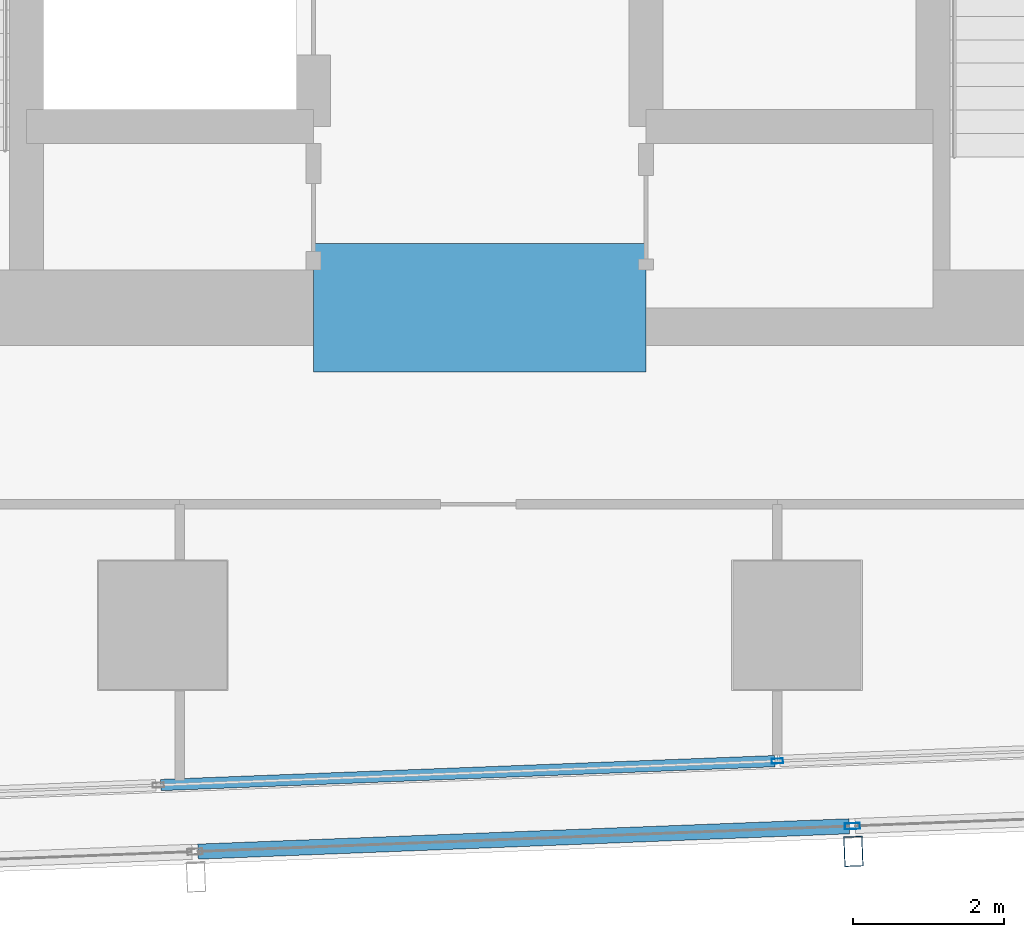
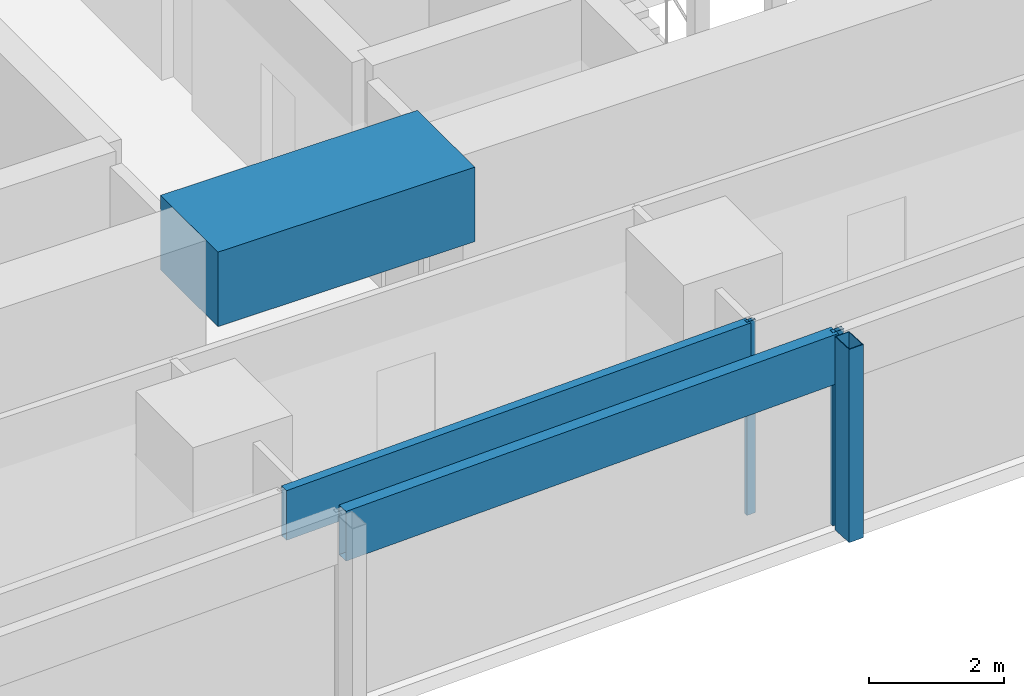
# One storey, part 9 of 40: 5 members, 1 beam, 2 elements without a shape of their own.
"""IFC4 building model written with IfcOpenShell, lengths in metres."""

import ifcopenshell
import ifcopenshell.guid

model = None  # the IFC model being written
_history = None  # IfcOwnerHistory: only IFC2X3 demands one
_inside = {}  # id of a spatial element -> (the spatial element, [elements in it])
_under = {}  # id of a project, library or spatial element -> (it, [spatial elements below it])
_declared = {}  # id of a project -> (the project, [libraries it declares])
_typed = {}  # id of a type object -> (the type object, [elements of that type])
_made_of = {}  # id of a material, layer set ... -> (it, [elements and type objects made of it])


def new_model(schema):
    """Start an empty IFC model of exactly this schema.

    Asked for "IFC4X3", IfcOpenShell would pick the latest addendum, in which some entities
    have other attributes; the version numbers below select the first issue.
    IFC2X3 requires an IfcOwnerHistory on every rooted entity: one is made here for all.
    """
    global model, _history
    if schema == "IFC4X3":
        model = ifcopenshell.file(schema_version=(4, 3, 0, 0))
    else:
        model = ifcopenshell.file(schema=schema)
    _inside.clear()
    _under.clear()
    _declared.clear()
    _typed.clear()
    _made_of.clear()
    _history = None
    if model.schema == "IFC2X3":
        org = make("IfcOrganization", Name="unknown")
        user = make(
            "IfcPersonAndOrganization",
            ThePerson=make("IfcPerson", FamilyName="unknown"),
            TheOrganization=org,
        )
        app = make(
            "IfcApplication",
            ApplicationDeveloper=org,
            Version="unknown",
            ApplicationFullName="unknown",
            ApplicationIdentifier="unknown",
        )
        _history = make(
            "IfcOwnerHistory",
            OwningUser=user,
            OwningApplication=app,
            ChangeAction="ADDED",
            CreationDate=0,
        )
    return model


def make(cls, **values):
    """One entity of the class cls with the attributes given. An attribute that is None is left unset."""
    return model.create_entity(
        cls, **{name: value for name, value in values.items() if value is not None}
    )


def rooted(cls, **values):
    """An entity with a GlobalId (a new one), such as an element, a storey or a relation."""
    return make(cls, GlobalId=ifcopenshell.guid.new(), OwnerHistory=_history, **values)


def si_unit(unit_type, name, prefix=None):
    """IfcSIUnit, for example si_unit("LENGTHUNIT", "METRE", prefix="MILLI")."""
    return make("IfcSIUnit", UnitType=unit_type, Prefix=prefix, Name=name)


def assignment(units):
    """IfcUnitAssignment: the units of a project."""
    return None if units is None else make("IfcUnitAssignment", Units=units)


def point(xyz):
    """IfcCartesianPoint."""
    return None if xyz is None else make("IfcCartesianPoint", Coordinates=xyz)


def direction(xyz):
    """IfcDirection."""
    return None if xyz is None else make("IfcDirection", DirectionRatios=xyz)


def frame(location, z_axis=None, x_axis=None):
    """IfcAxis2Placement3D, a coordinate frame: its origin and axes. An axis left out is left unset."""
    return make(
        "IfcAxis2Placement3D",
        Location=point(location),
        Axis=direction(z_axis),
        RefDirection=direction(x_axis),
    )


def frame_2d(location, x_axis=None):
    """IfcAxis2Placement2D, a coordinate frame in the plane: its origin and x axis."""
    return make(
        "IfcAxis2Placement2D", Location=point(location), RefDirection=direction(x_axis)
    )


def origin():
    """The frame at (0, 0, 0) with its axes left unset."""
    return frame((0.0, 0.0, 0.0))


def origin_2d():
    """The frame at (0, 0) in the plane with its x axis left unset."""
    return frame_2d((0.0, 0.0))


def place(relative_to, where):
    """IfcLocalPlacement: puts the frame where relative to a parent placement (None: the world)."""
    return make(
        "IfcLocalPlacement", PlacementRelTo=relative_to, RelativePlacement=where
    )


def context(
    kind, dimensions, precision=None, world=None, true_north=None, identifier=None
):
    """IfcGeometricRepresentationContext, for example the 3D "Model" context."""
    return make(
        "IfcGeometricRepresentationContext",
        ContextIdentifier=identifier,
        ContextType=kind,
        CoordinateSpaceDimension=dimensions,
        Precision=precision,
        WorldCoordinateSystem=world,
        TrueNorth=true_north,
    )


def subcontext(parent, identifier, kind, view, scale=None):
    """IfcGeometricRepresentationSubContext, for example "Body" below "Model"."""
    return make(
        "IfcGeometricRepresentationSubContext",
        ContextIdentifier=identifier,
        ContextType=kind,
        ParentContext=parent,
        TargetScale=scale,
        TargetView=view,
    )


def project(units=None, contexts=None):
    """IfcProject with its units and contexts."""
    return rooted(
        "IfcProject",
        Name="project",
        RepresentationContexts=contexts,
        UnitsInContext=assignment(units),
    )


def spatial(cls, under=None, at=None, **own):
    """A site, building, storey or space (cls), placed at a placement, below another one or the project."""
    s = rooted(cls, ObjectPlacement=at, **own)
    if under is not None:
        _under.setdefault(under.id(), (under, []))[1].append(s)
    return s


def profile(cls, at=None, kind="AREA", **sizes):
    """A parametric profile (cls). Its sizes go by their IFC names, for example OverallWidth=200.0."""
    return make(cls, ProfileType=kind, Position=at, **sizes)


def rectangle(**sizes):
    """IfcRectangleProfileDef."""
    return profile("IfcRectangleProfileDef", **sizes)


def hollow_rectangle(**sizes):
    """IfcRectangleHollowProfileDef."""
    return profile("IfcRectangleHollowProfileDef", **sizes)


def extrude(swept, where, along, depth):
    """IfcExtrudedAreaSolid: the profile swept, set in the frame where, extruded along a direction by depth."""
    return make(
        "IfcExtrudedAreaSolid",
        SweptArea=swept,
        Position=where,
        ExtrudedDirection=direction(along),
        Depth=depth,
    )


def shape(context_of_items, identifier, shape_type, items):
    """IfcShapeRepresentation: the items that make up one representation, for example the "Body"."""
    return make(
        "IfcShapeRepresentation",
        ContextOfItems=context_of_items,
        RepresentationIdentifier=identifier,
        RepresentationType=shape_type,
        Items=items,
    )


def material(Name=None, Category=None):
    """IfcMaterial."""
    return make("IfcMaterial", Name=Name, Category=Category)


def material_profile(
    of_material, cross_section, Name=None, Category=None, Priority=None
):
    """IfcMaterialProfile: a cross section and its material."""
    return make(
        "IfcMaterialProfile",
        Name=Name,
        Material=of_material,
        Profile=cross_section,
        Priority=Priority,
        Category=Category,
    )


def profile_set(profiles, Name=None, composite=None):
    """IfcMaterialProfileSet."""
    return make(
        "IfcMaterialProfileSet",
        Name=Name,
        MaterialProfiles=profiles,
        CompositeProfile=composite,
    )


def made_of(thing, what):
    """Note that an element or type object is made of a material, layer set ...; save() writes the relation."""
    if what is not None:
        _made_of.setdefault(what.id(), (what, []))[1].append(thing)
    return thing


def type_object(cls, material=None, **own):
    """A type object (cls), such as IfcWallType, which elements share."""
    return made_of(rooted(cls, **own), material)


def element(
    cls,
    number,
    at=None,
    inside=None,
    cuts=None,
    type_object=None,
    material=None,
    context=None,
    identifier="Body",
    shape_type=None,
    held_by="IfcProductDefinitionShape",
    body=None,
    shapes=None,
    **own,
):
    """One element of the class cls, such as IfcWall. Its Tag is "e" and its number.

    at: its placement. inside: the storey or other place that contains it. cuts: it is an
    opening in that element (IfcRelVoidsElement). A single representation is given by context,
    identifier, shape_type and body (its items); several are given by shapes. held_by: the class
    of the entity that holds the representations. save() writes the other relations.
    """
    e = rooted(cls, Tag="e%d" % number, ObjectPlacement=at, **own)
    if body is not None:
        shapes = [shape(context, identifier, shape_type, body)]
    if shapes is not None:
        e.Representation = make(held_by, Representations=shapes)
    if inside is not None:
        _inside.setdefault(inside.id(), (inside, []))[1].append(e)
    if cuts is not None:
        rooted(
            "IfcRelVoidsElement", RelatingBuildingElement=cuts, RelatedOpeningElement=e
        )
    if type_object is not None:
        _typed.setdefault(type_object.id(), (type_object, []))[1].append(e)
    return made_of(e, material)


def aggregate(whole, parts):
    """IfcRelAggregates: a whole, such as a stair, and the parts it consists of."""
    return rooted("IfcRelAggregates", RelatingObject=whole, RelatedObjects=parts)


def save(model, path):
    """Write the relations noted so far, then the file.

    IfcRelAggregates (storeys below a building ...), IfcRelContainedInSpatialStructure (elements
    in a storey), IfcRelDefinesByType, IfcRelAssociatesMaterial and IfcRelDeclares: one each for
    every whole, place, type object, material and project.
    """
    for whole, parts in _under.values():
        aggregate(whole, parts)
    for where, things in _inside.values():
        rooted(
            "IfcRelContainedInSpatialStructure",
            RelatedElements=things,
            RelatingStructure=where,
        )
    for kind, things in _typed.values():
        rooted("IfcRelDefinesByType", RelatedObjects=things, RelatingType=kind)
    for what, things in _made_of.values():
        rooted("IfcRelAssociatesMaterial", RelatedObjects=things, RelatingMaterial=what)
    for by, libraries in _declared.values():
        rooted("IfcRelDeclares", RelatingContext=by, RelatedDefinitions=libraries)
    model.write(path)


model = new_model("IFC4")

# Units and contexts
model_context = context("Model", 3, precision=1e-05, world=origin(), true_north=direction((0.0, 1.0)))
body_context = subcontext(model_context, "Body", "Model", "MODEL_VIEW")
ifc_project = project(units=[si_unit("LENGTHUNIT", "METRE"), si_unit("AREAUNIT", "SQUARE_METRE"), si_unit("VOLUMEUNIT", "CUBIC_METRE"), si_unit("PLANEANGLEUNIT", "RADIAN"), si_unit("MASSUNIT", "GRAM", prefix="KILO")], contexts=[model_context])

# Site, building, storey
site_placement = place(None, origin())
site = spatial("IfcSite", under=ifc_project, at=site_placement, CompositionType="ELEMENT")
building_placement = place(site_placement, origin())
building = spatial("IfcBuilding", under=site, at=building_placement, Name="Rekha Terrace Tower", CompositionType="ELEMENT")
storey_placement = place(building_placement, frame((0.0, 0.0, 132.800048828125)))
storey = spatial("IfcBuildingStorey", under=building, at=storey_placement, Name="L33", CompositionType="ELEMENT", Elevation=132.800048828125)

# Curtain wall, member
ifc_material_1 = material(Name="Aluminium framing", Category="aluminium")
curtain_wall_type_1 = type_object("IfcCurtainWallType", Name="CW2 double skin outer glazing", PredefinedType="USERDEFINED", material=ifc_material_1)
curtain_wall_1_placement = place(storey_placement, origin())
curtain_wall_1 = element("IfcCurtainWall", 1, at=curtain_wall_1_placement, inside=storey, type_object=curtain_wall_type_1, Name="CW2 double skin outer glazing", ObjectType="DOUBLE SKIN OUTER GLAZING", PredefinedType="USERDEFINED")
ifc_material_2 = material(Name="Steel S355 with fluorocarbon finish", Category="steel")
ifc_material_profile_1 = material_profile(ifc_material_2, hollow_rectangle(XDim=0.25, YDim=0.39990234375, WallThickness=0.012451171875, at=origin_2d()), Name="RHS400x250x12.5")
ifc_profile_set_1 = profile_set([ifc_material_profile_1], Name="Steel S355 with fluorocarbon finish")
member_type_1 = type_object("IfcMemberType", Name="BL1 facade blade RHS 400 x 250", PredefinedType="USERDEFINED", material=ifc_profile_set_1)
member_1_placement = place(storey_placement, frame((42.747314453125, 13.802978515625, 0.0), z_axis=(0.0, 0.0, 1.0), x_axis=(0.999243494356, 0.038890088543, 0.0)))
member_1 = element("IfcMember", 2, at=member_1_placement, type_object=member_type_1, Name="Facade blade", ObjectType="FACADE BLADE", PredefinedType="USERDEFINED", context=body_context, shape_type="SweptSolid", body=[
    extrude(hollow_rectangle(XDim=0.25, YDim=0.39990234375, WallThickness=0.012451171875, at=origin_2d()), origin(), (0.0, 0.0, 1.0), 3.5),
])

# Curtain wall, members
curtain_wall_type_2 = type_object("IfcCurtainWallType", Name="CW1 double skin inner glazing", PredefinedType="USERDEFINED", material=ifc_material_1)
curtain_wall_2_placement = place(storey_placement, origin())
curtain_wall_2 = element("IfcCurtainWall", 3, at=curtain_wall_2_placement, inside=storey, type_object=curtain_wall_type_2, Name="CW1 double skin inner glazing", ObjectType="DOUBLE SKIN INNER GLAZING", PredefinedType="USERDEFINED")
ifc_material_3 = material(Name="Aluminium mullion section", Category="aluminium")
ifc_material_profile_2 = material_profile(ifc_material_3, hollow_rectangle(XDim=0.06494140625, YDim=0.14990234375, WallThickness=0.00390625, at=origin_2d()), Name="AL RHS 65x150")
ifc_profile_set_2 = profile_set([ifc_material_profile_2], Name="Aluminium mullion section")
member_type_2 = type_object("IfcMemberType", Name="CW1 mullion RHS 65 x 150", PredefinedType="MULLION", material=ifc_profile_set_2)
member_2_placement = place(storey_placement, frame((41.740234375, 14.999755859375, 0.0), z_axis=(0.0, 0.0, 1.0), x_axis=(-0.038889971345, 0.999243498917, 0.0)))
member_2 = element("IfcMember", 4, at=member_2_placement, type_object=member_type_2, Name="CW1 mullion 3", PredefinedType="MULLION", context=body_context, shape_type="SweptSolid", body=[
    extrude(hollow_rectangle(XDim=0.06494140625, YDim=0.14990234375, WallThickness=0.00390625, at=origin_2d()), origin(), (0.0, 0.0, 1.0), 3.5),
])
ifc_material_4 = material(Name="Insulated aluminium spandrel box", Category="aluminium")
ifc_material_profile_3 = material_profile(ifc_material_4, hollow_rectangle(XDim=0.14990234375, YDim=0.89990234375, WallThickness=0.0029296875, at=origin_2d()), Name="AL SPANDREL BOX 150x900")
ifc_profile_set_3 = profile_set([ifc_material_profile_3], Name="Insulated aluminium spandrel box")
member_type_3 = type_object("IfcMemberType", Name="CW1 spandrel transom 150 x 900", PredefinedType="USERDEFINED", material=ifc_profile_set_3)
member_3_placement = place(storey_placement, frame((33.576416015625, 14.68212890625, 3.050048828125), z_axis=(0.999243790362, 0.038882482205, 0.0), x_axis=(-0.038882482205, 0.999243790362, 0.0)))
member_3 = element("IfcMember", 5, at=member_3_placement, type_object=member_type_3, Name="CW1 spandrel transom 2", ObjectType="TRANSOM", PredefinedType="USERDEFINED", context=body_context, shape_type="SweptSolid", body=[
    extrude(hollow_rectangle(XDim=0.14990234375, YDim=0.89990234375, WallThickness=0.0029296875, at=origin_2d()), origin(), (0.0, 0.0, 1.0), 8.137451171875),
])
aggregate(curtain_wall_2, [member_2, member_3])

# Member
ifc_material_profile_4 = material_profile(ifc_material_3, hollow_rectangle(XDim=0.080078125, YDim=0.199951171875, WallThickness=0.00390625, at=origin_2d()), Name="AL RHS 80x200")
ifc_profile_set_4 = profile_set([ifc_material_profile_4], Name="Aluminium mullion section")
member_type_4 = type_object("IfcMemberType", Name="CW2 mullion RHS 80 x 200", PredefinedType="MULLION", material=ifc_profile_set_4)
member_4_placement = place(storey_placement, frame((42.734130859375, 14.137939453125, 0.0), z_axis=(0.0, 0.0, 1.0), x_axis=(-0.038889971345, 0.999243498917, 0.0)))
member_4 = element("IfcMember", 6, at=member_4_placement, type_object=member_type_4, Name="CW2 mullion 3", PredefinedType="MULLION", context=body_context, shape_type="SweptSolid", body=[
    extrude(hollow_rectangle(XDim=0.080078125, YDim=0.199951171875, WallThickness=0.00390625, at=origin_2d()), origin(), (0.0, 0.0, 1.0), 3.5),
])

ifc_material_profile_5 = material_profile(ifc_material_4, hollow_rectangle(XDim=0.199951171875, YDim=0.89990234375, WallThickness=0.0029296875, at=origin_2d()), Name="AL SPANDREL BOX 200x900")
ifc_profile_set_5 = profile_set([ifc_material_profile_5], Name="Insulated aluminium spandrel box")
member_type_5 = type_object("IfcMemberType", Name="CW2 spandrel transom 200 x 900", PredefinedType="USERDEFINED", material=ifc_profile_set_5)
member_5_placement = place(storey_placement, frame((34.069091796875, 13.800537109375, 3.050048828125), z_axis=(0.999243438523, 0.038891523097, 0.0), x_axis=(-0.038891523097, 0.999243438523, 0.0)))
member_5 = element("IfcMember", 7, at=member_5_placement, type_object=member_type_5, Name="CW2 spandrel transom 2", ObjectType="TRANSOM", PredefinedType="USERDEFINED", context=body_context, shape_type="SweptSolid", body=[
    extrude(hollow_rectangle(XDim=0.199951171875, YDim=0.89990234375, WallThickness=0.0029296875, at=origin_2d()), origin(), (0.0, 0.0, 1.0), 8.631591796875),
])

aggregate(curtain_wall_1, [member_4, member_5, member_1])

# Beam
ifc_material_5 = material(Name="Concrete M70", Category="concrete")
ifc_material_profile_6 = material_profile(ifc_material_5, rectangle(XDim=1.699951171875, YDim=1.35009765625, at=origin_2d()), Name="RC 1700x1350")
ifc_profile_set_6 = profile_set([ifc_material_profile_6], Name="Concrete M70")
beam_type = type_object("IfcBeamType", Name="LB2A 1700x1350 diagonally reinforced coupling beam", PredefinedType="LINTEL", material=ifc_profile_set_6)
beam_placement = place(storey_placement, frame((35.60009765625, 21.0, 3.074951171875), z_axis=(1.0, 0.0, 0.0), x_axis=(0.0, 1.0, 0.0)))
element("IfcBeam", 8, at=beam_placement, inside=storey, type_object=beam_type, Name="Coupling beam LB2A S L33", PredefinedType="LINTEL", context=body_context, shape_type="SweptSolid", body=[
    extrude(rectangle(XDim=1.699951171875, YDim=1.35009765625, at=origin_2d()), origin(), (0.0, 0.0, 1.0), 4.39990234375),
])

save(model, "model.ifc")
